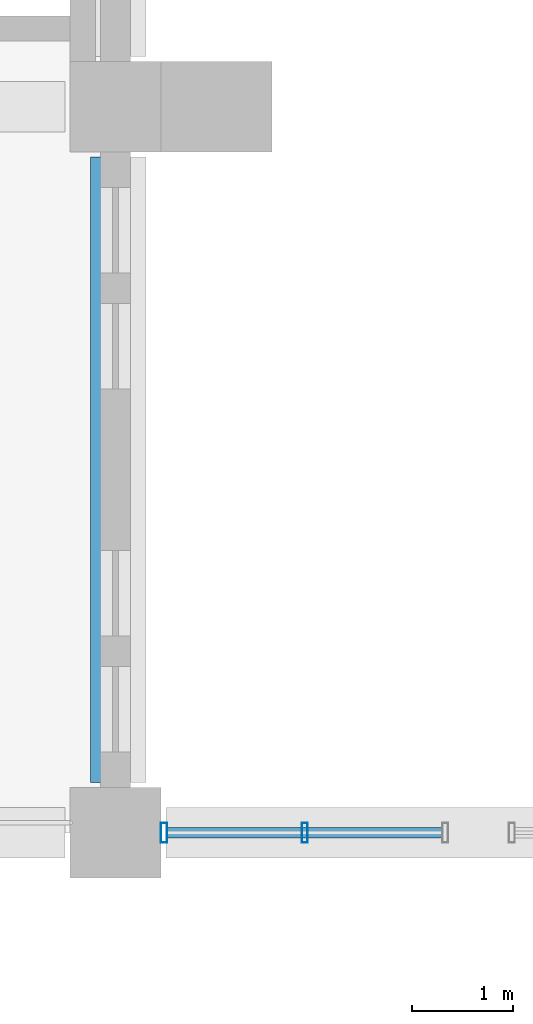
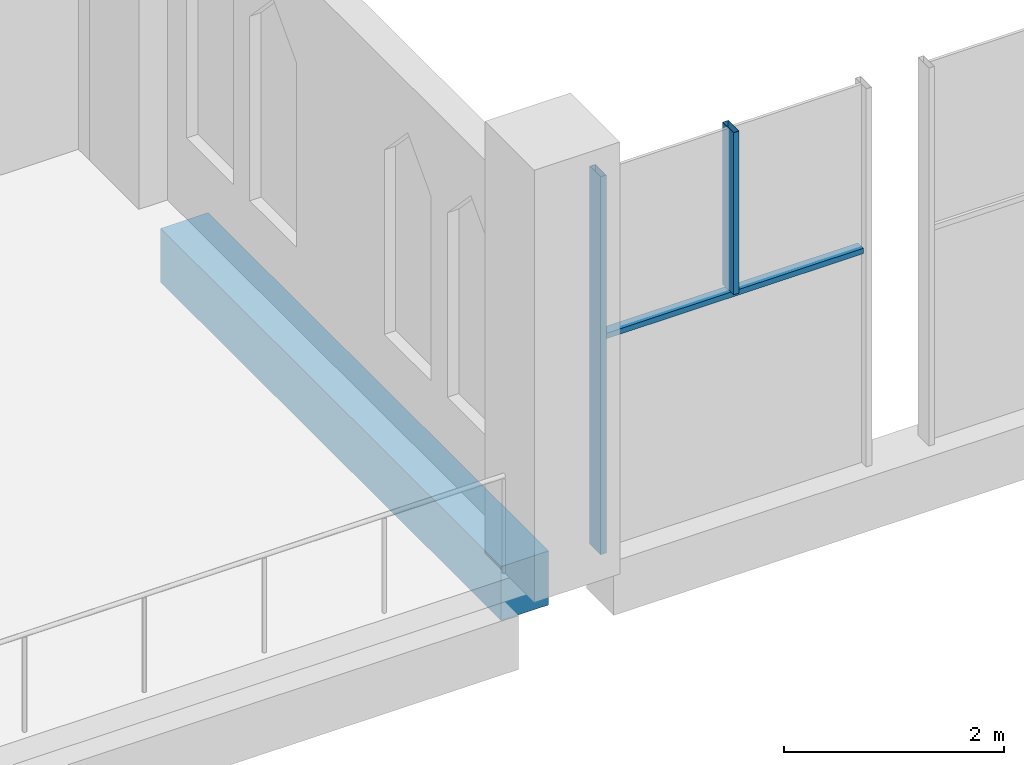
# One storey, part 11 of 40: 3 members, 1 beam, 1 element without a shape of its own.
"""IFC4 building model written with IfcOpenShell, lengths in metres."""

from ifc_helpers import new_model, si_unit, direction, frame, origin, origin_2d, place, context, subcontext, project, spatial, rectangle, hollow_rectangle, extrude, material, material_profile, profile_set, type_object, element, aggregate, save


model = new_model("IFC4")

# Units and contexts
model_context = context("Model", 3, precision=1e-05, world=origin(), true_north=direction((0.0, 1.0)))
body_context = subcontext(model_context, "Body", "Model", "MODEL_VIEW")
ifc_project = project(units=[si_unit("LENGTHUNIT", "METRE"), si_unit("AREAUNIT", "SQUARE_METRE"), si_unit("VOLUMEUNIT", "CUBIC_METRE"), si_unit("PLANEANGLEUNIT", "RADIAN"), si_unit("MASSUNIT", "GRAM", prefix="KILO")], contexts=[model_context])

# Site, building, storey
site_placement = place(None, origin())
site = spatial("IfcSite", under=ifc_project, at=site_placement, CompositionType="ELEMENT")
building_placement = place(site_placement, origin())
building = spatial("IfcBuilding", under=site, at=building_placement, Name="Silangan Lancet Faculty of Sciences", CompositionType="ELEMENT")
storey_placement = place(building_placement, frame((0.0, 0.0, 16.800048828125)))
storey = spatial("IfcBuildingStorey", under=building, at=storey_placement, Name="L03", CompositionType="ELEMENT", Elevation=16.800048828125)

# Beam
ifc_material_1 = material(Name="Concrete C40/50", Category="concrete")
ifc_material_profile_1 = material_profile(ifc_material_1, rectangle(XDim=0.5, YDim=0.60009765625, at=origin_2d()), Name="RC 500x600")
ifc_profile_set_1 = profile_set([ifc_material_profile_1], Name="Concrete C40/50")
beam_type = type_object("IfcBeamType", Name="BEAM RC 500x600", PredefinedType="BEAM", material=ifc_profile_set_1)
beam_placement = place(storey_placement, frame((28.800048828125, 36.5, -0.550048828125), z_axis=(0.0, 1.0, 0.0), x_axis=(-1.0, 0.0, 0.0)))
element("IfcBeam", 1, at=beam_placement, inside=storey, type_object=beam_type, Name="BM-L03-5F-5G", PredefinedType="BEAM", context=body_context, shape_type="SweptSolid", body=[
    extrude(rectangle(XDim=0.5, YDim=0.60009765625, at=origin_2d()), origin(), (0.0, 0.0, 1.0), 6.199951171875),
])

# Curtain wall, members
ifc_material_2 = material(Name="Aluminium framed curtain wall with insulated glass", Category="aluminium")
curtain_wall_type = type_object("IfcCurtainWallType", Name="CW5 Nave north light glazing", PredefinedType="NOTDEFINED", material=ifc_material_2)
curtain_wall_placement = place(storey_placement, origin())
curtain_wall = element("IfcCurtainWall", 2, at=curtain_wall_placement, inside=storey, type_object=curtain_wall_type, Name="CW5 Nave north lights L03 bay 6", PredefinedType="NOTDEFINED")
ifc_material_3 = material(Name="Aluminium 6063-T6 extrusion", Category="aluminium")
ifc_material_profile_2 = material_profile(ifc_material_3, hollow_rectangle(XDim=0.06005859375, YDim=0.199951171875, WallThickness=0.00390625, at=origin_2d()), Name="AL BOX 60x200x4")
ifc_profile_set_2 = profile_set([ifc_material_profile_2], Name="Aluminium 6063-T6 extrusion")
member_type_1 = type_object("IfcMemberType", Name="CM1 Mullion 60x200", PredefinedType="MULLION", material=ifc_profile_set_2)
member_1_placement = place(storey_placement, frame((29.280029296875, 36.0, 0.0), z_axis=(0.0, 0.0, 1.0), x_axis=(-1.0, 0.0, 0.0)))
member_1 = element("IfcMember", 3, at=member_1_placement, type_object=member_type_1, Name="CW5 Nave north lights L03 bay 6 mullion 2", PredefinedType="MULLION", context=body_context, shape_type="SweptSolid", body=[
    extrude(hollow_rectangle(XDim=0.06005859375, YDim=0.199951171875, WallThickness=0.00390625, at=origin_2d()), origin(), (0.0, 0.0, 1.0), 4.199951171875),
])
member_2_placement = place(storey_placement, frame((30.675048828125, 36.0, 2.39990234375), z_axis=(0.0, 0.0, 1.0), x_axis=(-1.0, 0.0, 0.0)))
member_2 = element("IfcMember", 4, at=member_2_placement, type_object=member_type_1, Name="CW5 Nave north lights L03 bay 6 mullion 3", PredefinedType="MULLION", context=body_context, shape_type="SweptSolid", body=[
    extrude(hollow_rectangle(XDim=0.06005859375, YDim=0.199951171875, WallThickness=0.00390625, at=origin_2d()), origin(), (0.0, 0.0, 1.0), 1.800048828125),
])
ifc_material_4 = material(Name="Aluminium 6063-T6 extrusion", Category="aluminium")
ifc_material_profile_3 = material_profile(ifc_material_4, hollow_rectangle(XDim=0.10009765625, YDim=0.06005859375, WallThickness=0.0029296875, at=origin_2d()), Name="AL BOX 100x60x3")
ifc_profile_set_3 = profile_set([ifc_material_profile_3], Name="Aluminium 6063-T6 extrusion")
member_type_2 = type_object("IfcMemberType", Name="CT1 Transom 100x60", PredefinedType="USERDEFINED", material=ifc_profile_set_3)
member_3_placement = place(storey_placement, frame((32.039794921875, 36.0, 2.369873046875), z_axis=(-1.0, 0.0, 0.0), x_axis=(0.0, -1.0, 0.0)))
member_3 = element("IfcMember", 5, at=member_3_placement, type_object=member_type_2, Name="CW5 Nave north lights L03 bay 6 transom 1", ObjectType="TRANSOM", PredefinedType="USERDEFINED", context=body_context, shape_type="SweptSolid", body=[
    extrude(hollow_rectangle(XDim=0.10009765625, YDim=0.06005859375, WallThickness=0.0029296875, at=origin_2d()), origin(), (0.0, 0.0, 1.0), 2.729736328125),
])
aggregate(curtain_wall, [member_1, member_2, member_3])

save(model, "model.ifc")
